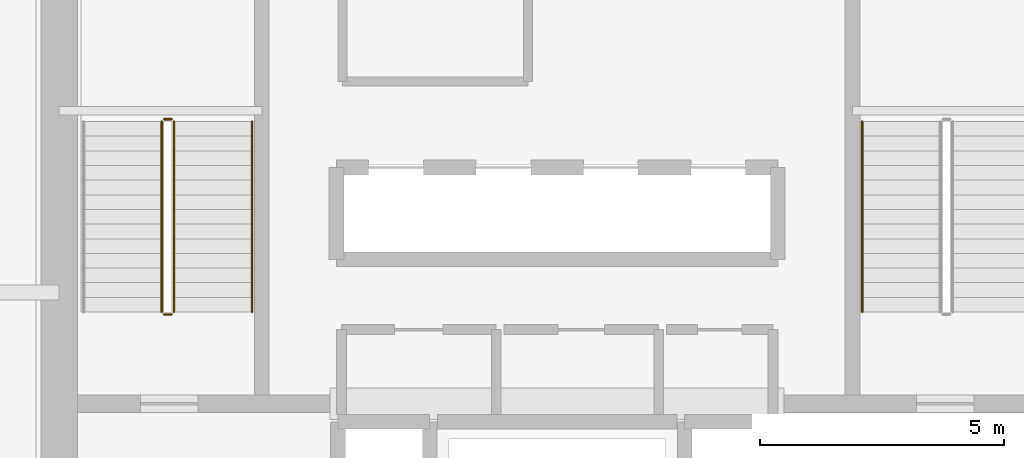
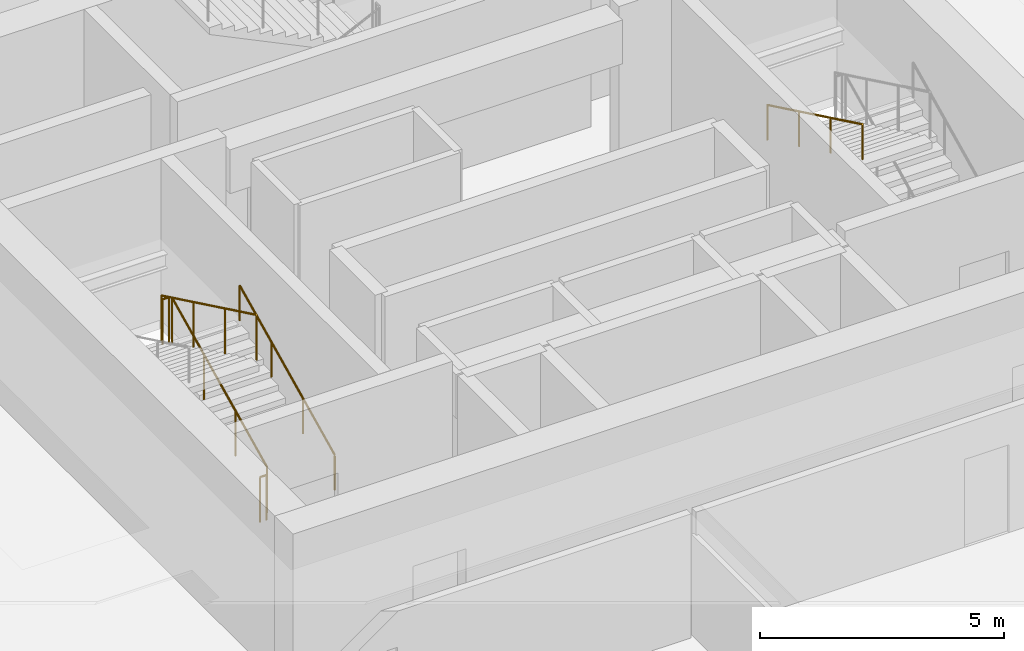
# One storey, part 33 of 36: 6 railings.
"""IFC4 building model written with IfcOpenShell, lengths in metres."""

from ifc_helpers import new_model, si_unit, direction, frame, origin, origin_2d, place, context, subcontext, project, spatial, circle, extrude, material, type_object, element, save


model = new_model("IFC4")

# Units and contexts
model_context = context("Model", 3, precision=1e-05, world=origin(), true_north=direction((0.0, 1.0)))
body_context = subcontext(model_context, "Body", "Model", "MODEL_VIEW")
ifc_project = project(units=[si_unit("LENGTHUNIT", "METRE"), si_unit("AREAUNIT", "SQUARE_METRE"), si_unit("VOLUMEUNIT", "CUBIC_METRE"), si_unit("PLANEANGLEUNIT", "RADIAN"), si_unit("MASSUNIT", "GRAM", prefix="KILO")], contexts=[model_context])

# Site, building, storey
site_placement = place(None, origin())
site = spatial("IfcSite", under=ifc_project, at=site_placement, CompositionType="ELEMENT")
building_placement = place(site_placement, origin())
building = spatial("IfcBuilding", under=site, at=building_placement, Name="Punatoya Terracotta Tower", CompositionType="ELEMENT")
storey_placement = place(building_placement, frame((0.0, 0.0, 36.300048828125)))
storey = spatial("IfcBuildingStorey", under=building, at=storey_placement, Name="L07", CompositionType="ELEMENT", Elevation=36.300048828125)

# Railings
ifc_material = material(Name="Steel S355", Category="steel")
railing_type_1 = type_object("IfcRailingType", Name="RLG-GRD-1150", PredefinedType="GUARDRAIL", material=ifc_material)
railing_1_placement = place(storey_placement, frame((-7.85009765625, -3.800048828125, 0.14453125)))
element("IfcRailing", 1, at=railing_1_placement, inside=storey, type_object=railing_type_1, Name="L07 ST-1 stair guard 1", PredefinedType="GUARDRAIL", context=body_context, shape_type="SweptSolid", body=[
    extrude(circle(Radius=0.02392578125, at=origin_2d()), frame((0.0, 0.0, 1.1259765625), z_axis=(0.0, 0.900773802044, 0.434288564841), x_axis=(-1.0, 0.0, 0.0)), (0.0, 0.0, 1.0), 4.329833984375),
    extrude(circle(Radius=0.02099609375, at=origin_2d()), origin(), (0.0, 0.0, 1.0), 1.101806640625),
    extrude(circle(Radius=0.02099609375, at=origin_2d()), frame((0.0, 1.300048828125, 0.626708984375)), (0.0, 0.0, 1.0), 1.101806640625),
    extrude(circle(Radius=0.02099609375, at=origin_2d()), frame((0.0, 2.60009765625, 1.253662109375)), (0.0, 0.0, 1.0), 1.101806640625),
    extrude(circle(Radius=0.02099609375, at=origin_2d()), frame((0.0, 3.900146484375, 1.88037109375)), (0.0, 0.0, 1.0), 1.101806640625),
])
railing_2_placement = place(storey_placement, frame((-7.89990234375, 0.14990234375, 2.02490234375)))
element("IfcRailing", 2, at=railing_2_placement, inside=storey, type_object=railing_type_1, Name="L07 ST-1 stair guard 2", PredefinedType="GUARDRAIL", context=body_context, shape_type="SweptSolid", body=[
    extrude(circle(Radius=0.02392578125, at=origin_2d()), frame((0.0, 0.0, 1.1259765625), z_axis=(-1.0, 0.0, 0.0), x_axis=(0.0, -1.0, 0.0)), (0.0, 0.0, 1.0), 0.150146484375),
    extrude(circle(Radius=0.02099609375, at=origin_2d()), origin(), (0.0, 0.0, 1.0), 1.101806640625),
    extrude(circle(Radius=0.02099609375, at=origin_2d()), frame((-0.150146484375, 0.0, 0.0)), (0.0, 0.0, 1.0), 1.101806640625),
])
railing_3_placement = place(storey_placement, frame((-8.10009765625, 0.10009765625, 2.169677734375)))
element("IfcRailing", 3, at=railing_3_placement, inside=storey, type_object=railing_type_1, Name="L07 ST-1 stair guard 3", PredefinedType="GUARDRAIL", context=body_context, shape_type="SweptSolid", body=[
    extrude(circle(Radius=0.02392578125, at=origin_2d()), frame((0.0, 0.0, 1.1259765625), z_axis=(0.0, -0.900773802044, 0.434288564841), x_axis=(1.0, 0.0, 0.0)), (0.0, 0.0, 1.0), 4.329833984375),
    extrude(circle(Radius=0.02099609375, at=origin_2d()), origin(), (0.0, 0.0, 1.0), 1.101806640625),
    extrude(circle(Radius=0.02099609375, at=origin_2d()), frame((0.0, -1.300048828125, 0.626708984375)), (0.0, 0.0, 1.0), 1.101806640625),
    extrude(circle(Radius=0.02099609375, at=origin_2d()), frame((0.0, -2.60009765625, 1.253662109375)), (0.0, 0.0, 1.0), 1.101806640625),
    extrude(circle(Radius=0.02099609375, at=origin_2d()), frame((0.0, -3.900146484375, 1.88037109375)), (0.0, 0.0, 1.0), 1.101806640625),
])
railing_4_placement = place(storey_placement, frame((-7.89990234375, -3.85009765625, 0.0)))
element("IfcRailing", 4, at=railing_4_placement, inside=storey, type_object=railing_type_1, Name="L07 ST-1 stair guard 4", PredefinedType="GUARDRAIL", context=body_context, shape_type="SweptSolid", body=[
    extrude(circle(Radius=0.02392578125, at=origin_2d()), frame((0.0, 0.0, 1.1259765625), z_axis=(-1.0, 0.0, 0.0), x_axis=(0.0, -1.0, 0.0)), (0.0, 0.0, 1.0), 0.150146484375),
    extrude(circle(Radius=0.02099609375, at=origin_2d()), origin(), (0.0, 0.0, 1.0), 1.101806640625),
    extrude(circle(Radius=0.02099609375, at=origin_2d()), frame((-0.150146484375, 0.0, 0.0)), (0.0, 0.0, 1.0), 1.101806640625),
])
railing_type_2 = type_object("IfcRailingType", Name="RLG-HND-900", PredefinedType="HANDRAIL", material=ifc_material)
railing_5_placement = place(storey_placement, frame((-6.25, -3.800048828125, 0.14453125)))
element("IfcRailing", 5, at=railing_5_placement, inside=storey, type_object=railing_type_2, Name="L07 ST-1 stair handrail 1", PredefinedType="HANDRAIL", context=body_context, shape_type="SweptSolid", body=[
    extrude(circle(Radius=0.02392578125, at=origin_2d()), frame((0.0, 0.0, 0.8759765625), z_axis=(0.0, 0.900773802044, 0.434288564841), x_axis=(-1.0, 0.0, 0.0)), (0.0, 0.0, 1.0), 4.329833984375),
    extrude(circle(Radius=0.02099609375, at=origin_2d()), origin(), (0.0, 0.0, 1.0), 0.851806640625),
    extrude(circle(Radius=0.02099609375, at=origin_2d()), frame((0.0, 1.300048828125, 0.626708984375)), (0.0, 0.0, 1.0), 0.851806640625),
    extrude(circle(Radius=0.02099609375, at=origin_2d()), frame((0.0, 2.60009765625, 1.253662109375)), (0.0, 0.0, 1.0), 0.851806640625),
    extrude(circle(Radius=0.02099609375, at=origin_2d()), frame((0.0, 3.900146484375, 1.88037109375)), (0.0, 0.0, 1.0), 0.851806640625),
])
railing_6_placement = place(storey_placement, frame((6.25, 0.10009765625, 2.169677734375)))
element("IfcRailing", 6, at=railing_6_placement, inside=storey, type_object=railing_type_2, Name="L07 ST-2 stair handrail 2", PredefinedType="HANDRAIL", context=body_context, shape_type="SweptSolid", body=[
    extrude(circle(Radius=0.02392578125, at=origin_2d()), frame((0.0, 0.0, 0.8759765625), z_axis=(0.0, -0.900773802044, 0.434288564841), x_axis=(1.0, 0.0, 0.0)), (0.0, 0.0, 1.0), 4.329833984375),
    extrude(circle(Radius=0.02099609375, at=origin_2d()), origin(), (0.0, 0.0, 1.0), 0.851806640625),
    extrude(circle(Radius=0.02099609375, at=origin_2d()), frame((0.0, -1.300048828125, 0.626708984375)), (0.0, 0.0, 1.0), 0.851806640625),
    extrude(circle(Radius=0.02099609375, at=origin_2d()), frame((0.0, -2.60009765625, 1.253662109375)), (0.0, 0.0, 1.0), 0.851806640625),
    extrude(circle(Radius=0.02099609375, at=origin_2d()), frame((0.0, -3.900146484375, 1.88037109375)), (0.0, 0.0, 1.0), 0.851806640625),
])

save(model, "model.ifc")
